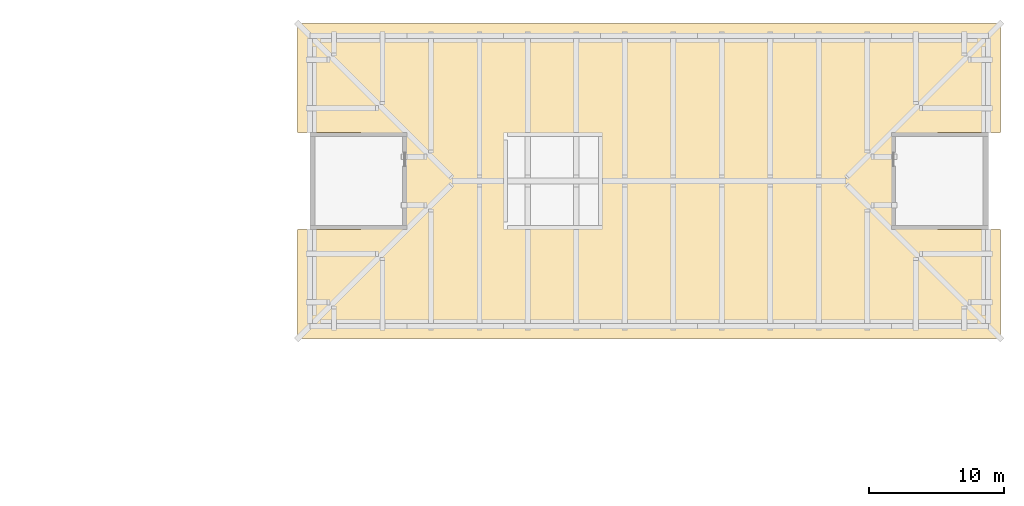
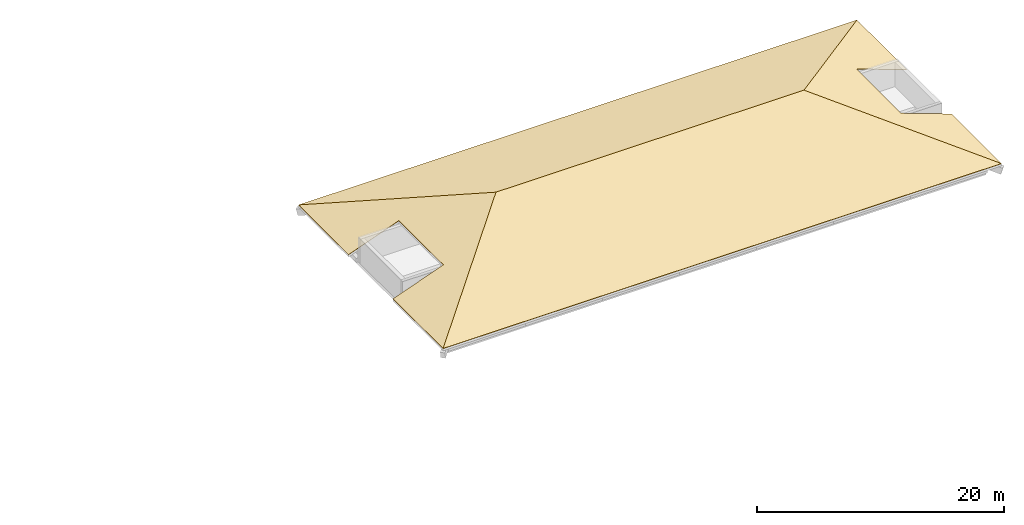
# One storey, part 8 of 8: 4 coverings.
"""IFC4 building model written with IfcOpenShell, lengths in metres."""

from ifc_helpers import new_model, si_unit, direction, frame, origin, place, context, subcontext, project, spatial, polyline, outline, extrude, material, layer, layer_set, type_object, element, save


model = new_model("IFC4")

# Units and contexts
model_context = context("Model", 3, precision=1e-05, world=origin(), true_north=direction((0.0, 1.0)))
body_context = subcontext(model_context, "Body", "Model", "MODEL_VIEW")
ifc_project = project(units=[si_unit("LENGTHUNIT", "METRE"), si_unit("AREAUNIT", "SQUARE_METRE"), si_unit("VOLUMEUNIT", "CUBIC_METRE"), si_unit("PLANEANGLEUNIT", "RADIAN"), si_unit("MASSUNIT", "GRAM", prefix="KILO")], contexts=[model_context])

# Site, building, storey
site_placement = place(None, origin())
site = spatial("IfcSite", under=ifc_project, at=site_placement, CompositionType="ELEMENT")
building_placement = place(site_placement, origin())
building = spatial("IfcBuilding", under=site, at=building_placement, Name="Vermilion Court Aquatics Centre", CompositionType="ELEMENT")
storey_placement = place(building_placement, frame((0.0, 0.0, 23.300048828125)))
storey = spatial("IfcBuildingStorey", under=building, at=storey_placement, Name="ROOF", CompositionType="ELEMENT", Elevation=23.300048828125)

# Coverings
ifc_material = material(Name="Terracotta cladding", Category="masonry")
ifc_layer = layer(ifc_material, 0.0400390625)
ifc_layer_set = layer_set([ifc_layer], Name="Wellness roof tile covering 40")
covering_type = type_object("IfcCoveringType", Name="Wellness roof tile covering 40", PredefinedType="ROOFING", material=ifc_layer_set)
covering_1_placement = place(storey_placement, frame((143.10009765625, 92.699951171875, 1.0322265625), z_axis=(0.0, -0.342010697502, 0.939696058731), x_axis=(1.0, 0.0, 0.0)))
element("IfcCovering", 1, at=covering_1_placement, inside=storey, type_object=covering_type, Name="Wellness roof tile covering", PredefinedType="ROOFING", context=body_context, shape_type="SweptSolid", body=[
    extrude(outline(polyline([(0.0, 0.0), (52.199951171875, 0.0), (40.5, 12.450782423922345), (11.699951171875, 12.450782423922345), (0.0, 0.0)])), origin(), (0.0, -0.342010697502, -0.939696058731), 0.04248046875),
])
covering_2_placement = place(storey_placement, frame((195.300048828125, 116.10009765625, 1.0322265625), z_axis=(0.0, 0.342004395725, 0.939698352294), x_axis=(-1.0, 0.0, 0.0)))
element("IfcCovering", 2, at=covering_2_placement, inside=storey, type_object=covering_type, Name="Wellness roof tile covering", PredefinedType="ROOFING", context=body_context, shape_type="SweptSolid", body=[
    extrude(outline(polyline([(0.0, 0.0), (52.199951171875, 0.0), (40.5, 12.45101184218541), (11.699951171875, 12.45101184218541), (0.0, 0.0)])), origin(), (0.0, -0.342004395725, -0.939698352294), 0.04248046875),
])
covering_3_placement = place(storey_placement, frame((143.10009765625, 116.10009765625, 1.0322265625), z_axis=(-0.34201879122, 0.0, 0.939693112911), x_axis=(0.684783561682, -0.684799997709, 0.249239717516)))
element("IfcCovering", 3, at=covering_3_placement, inside=storey, type_object=covering_type, Name="Wellness roof tile covering", PredefinedType="ROOFING", context=body_context, shape_type="SweptSolid", body=[
    extrude(outline(polyline([(0.0, 0.0), (17.08556564199734, 4.440892098500626e-16), (16.024420258894718, -17.052413637269424), (10.4774734024505, -11.14962085651129), (14.122234585765787, -7.724581669266776), (9.191708039759504, -2.4777535935136195), (5.546946856444218, -5.902792780758135), (0.0, 0.0)])), origin(), (-0.249239717516, -0.234214467444, -0.939693112911), 0.04248046875),
])
covering_4_placement = place(storey_placement, frame((195.300048828125, 92.699951171875, 1.0322265625), z_axis=(0.34201879122, 0.0, 0.939693112911), x_axis=(-0.684790262528, 0.684792409284, 0.249242156414)))
element("IfcCovering", 4, at=covering_4_placement, inside=storey, type_object=covering_type, Name="Wellness roof tile covering", PredefinedType="ROOFING", context=body_context, shape_type="SweptSolid", body=[
    extrude(outline(polyline([(0.0, 0.0), (17.085398455424215, -3.3306690738754696e-16), (16.024242688644524, -17.052580501074615), (10.47735729918165, -11.149729959433733), (14.122154147754243, -7.72472872582845), (9.191682238035465, -2.4778493080355988), (5.546885389462872, -5.902850541640882), (0.0, 0.0)])), origin(), (-0.249242156414, -0.23421187206, -0.939693112911), 0.04248046875),
])

save(model, "model.ifc")
